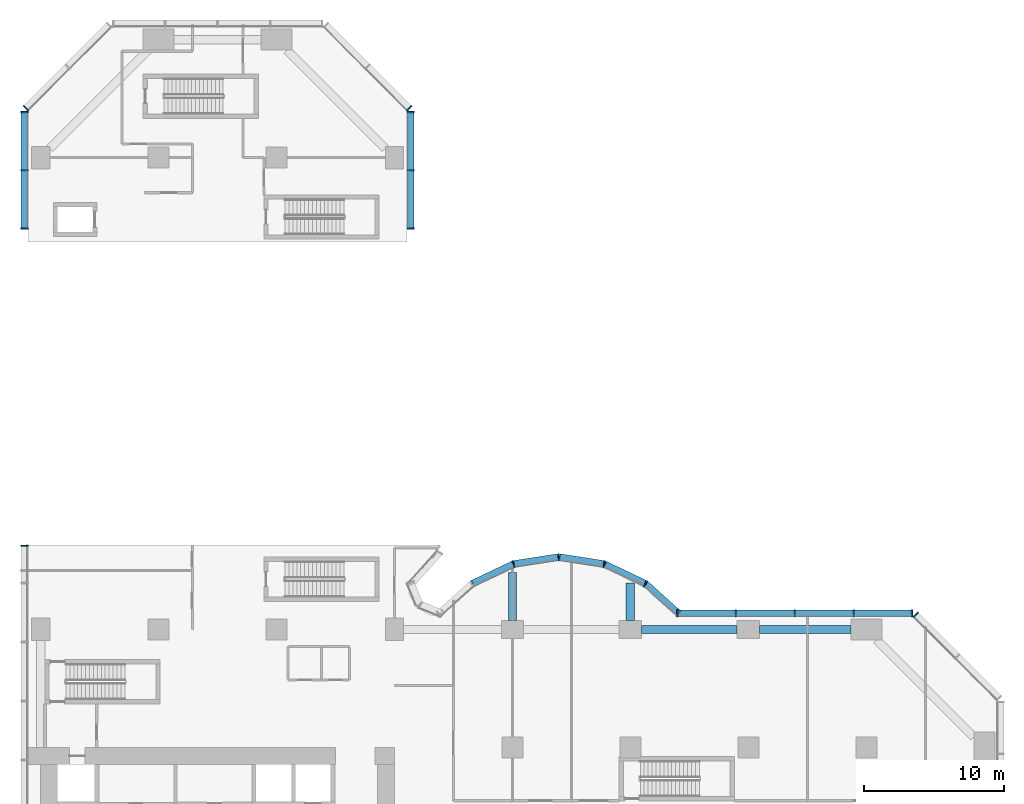
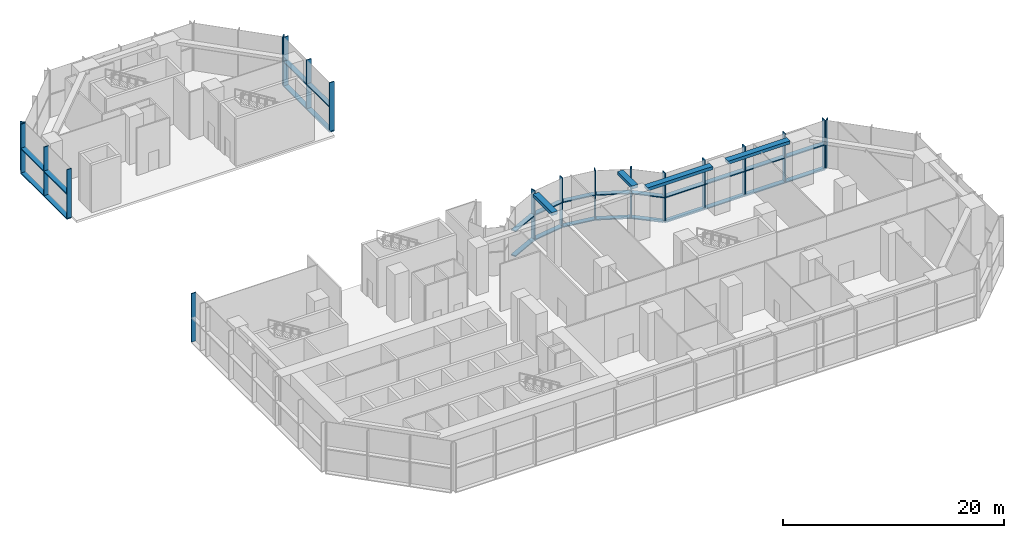
# One storey, part 3 of 16: 40 members, 4 beams, 8 elements without a shape of their own.
"""IFC4 building model written with IfcOpenShell, lengths in metres."""

from ifc_helpers import new_model, si_unit, direction, frame, origin, origin_2d, place, context, subcontext, project, spatial, rectangle, extrude, material, material_profile, profile_set, type_object, element, aggregate, save


model = new_model("IFC4")

# Units and contexts
model_context = context("Model", 3, precision=1e-05, world=origin(), true_north=direction((0.0, 1.0)))
body_context = subcontext(model_context, "Body", "Model", "MODEL_VIEW")
ifc_project = project(units=[si_unit("LENGTHUNIT", "METRE"), si_unit("AREAUNIT", "SQUARE_METRE"), si_unit("VOLUMEUNIT", "CUBIC_METRE"), si_unit("PLANEANGLEUNIT", "RADIAN"), si_unit("MASSUNIT", "GRAM", prefix="KILO")], contexts=[model_context])

# Site, building, storey
site_placement = place(None, origin())
site = spatial("IfcSite", under=ifc_project, at=site_placement, CompositionType="ELEMENT")
building_placement = place(site_placement, origin())
building = spatial("IfcBuilding", under=site, at=building_placement, Name="Brevane Broadcast Tower", CompositionType="ELEMENT")
storey_placement = place(building_placement, frame((0.0, 0.0, 7.0)))
storey = spatial("IfcBuildingStorey", under=building, at=storey_placement, Name="L01", CompositionType="ELEMENT", Elevation=7.0)

# Curtain wall, member
ifc_material_1 = material(Name="Aluminium 6063-T6 bronze anodised", Category="aluminium")
curtain_wall_type = type_object("IfcCurtainWallType", Name="CW-2 curtain wall", PredefinedType="NOTDEFINED", material=ifc_material_1)
curtain_wall_1_placement = place(storey_placement, origin())
curtain_wall_1 = element("IfcCurtainWall", 1, at=curtain_wall_1_placement, inside=storey, type_object=curtain_wall_type, Name="CW-2 podium base unit L01 north-east chamfer", PredefinedType="NOTDEFINED")
ifc_material_profile_1 = material_profile(ifc_material_1, rectangle(XDim=0.5, YDim=0.090087890625, at=origin_2d()), Name="RECT 90x500")
ifc_profile_set_1 = profile_set([ifc_material_profile_1], Name="Aluminium 6063-T6 bronze anodised")
member_type_1 = type_object("IfcMemberType", Name="CW-2 mullion 90x500", PredefinedType="MULLION", material=ifc_profile_set_1)
member_1_placement = place(storey_placement, frame((62.30859375, 26.244873046875, -0.1298828125), z_axis=(0.0, 0.0, 1.0), x_axis=(-0.707106781187, -0.707106781187, 0.0)))
member_1 = element("IfcMember", 2, at=member_1_placement, type_object=member_type_1, Name="CW-2 mullion", PredefinedType="MULLION", context=body_context, shape_type="SweptSolid", body=[
    extrude(rectangle(XDim=0.5, YDim=0.090087890625, at=origin_2d()), origin(), (0.0, 0.0, 1.0), 5.3798828125),
])
aggregate(curtain_wall_1, [member_1])

# Curtain wall, members
curtain_wall_2_placement = place(storey_placement, origin())
curtain_wall_2 = element("IfcCurtainWall", 3, at=curtain_wall_2_placement, inside=storey, type_object=curtain_wall_type, Name="CW-2 podium base unit L01 east arm north face", PredefinedType="NOTDEFINED")
member_2_placement = place(storey_placement, frame((62.054931640625, 26.35009765625, -0.1298828125), z_axis=(0.0, 0.0, 1.0), x_axis=(0.0, -1.0, 0.0)))
member_2 = element("IfcMember", 4, at=member_2_placement, type_object=member_type_1, Name="CW-2 mullion", PredefinedType="MULLION", context=body_context, shape_type="SweptSolid", body=[
    extrude(rectangle(XDim=0.5, YDim=0.090087890625, at=origin_2d()), origin(), (0.0, 0.0, 1.0), 5.3798828125),
])
member_3_placement = place(storey_placement, frame((57.89990234375, 26.35009765625, -0.1298828125), z_axis=(0.0, 0.0, 1.0), x_axis=(0.0, -1.0, 0.0)))
member_3 = element("IfcMember", 5, at=member_3_placement, type_object=member_type_1, Name="CW-2 mullion", PredefinedType="MULLION", context=body_context, shape_type="SweptSolid", body=[
    extrude(rectangle(XDim=0.5, YDim=0.090087890625, at=origin_2d()), origin(), (0.0, 0.0, 1.0), 5.3798828125),
])
member_4_placement = place(storey_placement, frame((53.699951171875, 26.35009765625, -0.1298828125), z_axis=(0.0, 0.0, 1.0), x_axis=(0.0, -1.0, 0.0)))
member_4 = element("IfcMember", 6, at=member_4_placement, type_object=member_type_1, Name="CW-2 mullion", PredefinedType="MULLION", context=body_context, shape_type="SweptSolid", body=[
    extrude(rectangle(XDim=0.5, YDim=0.090087890625, at=origin_2d()), origin(), (0.0, 0.0, 1.0), 5.3798828125),
])
member_5_placement = place(storey_placement, frame((49.5, 26.35009765625, -0.1298828125), z_axis=(0.0, 0.0, 1.0), x_axis=(0.0, -1.0, 0.0)))
member_5 = element("IfcMember", 7, at=member_5_placement, type_object=member_type_1, Name="CW-2 mullion", PredefinedType="MULLION", context=body_context, shape_type="SweptSolid", body=[
    extrude(rectangle(XDim=0.5, YDim=0.090087890625, at=origin_2d()), origin(), (0.0, 0.0, 1.0), 5.3798828125),
])
member_6_placement = place(storey_placement, frame((45.344970703125, 26.35009765625, -0.1298828125), z_axis=(0.0, 0.0, 1.0), x_axis=(0.0, -1.0, 0.0)))
member_6 = element("IfcMember", 8, at=member_6_placement, type_object=member_type_1, Name="CW-2 mullion", PredefinedType="MULLION", context=body_context, shape_type="SweptSolid", body=[
    extrude(rectangle(XDim=0.5, YDim=0.090087890625, at=origin_2d()), origin(), (0.0, 0.0, 1.0), 5.3798828125),
])

curtain_wall_3_placement = place(storey_placement, origin())
curtain_wall_3 = element("IfcCurtainWall", 9, at=curtain_wall_3_placement, inside=storey, type_object=curtain_wall_type, Name="CW-2 podium base unit L01 east bow", PredefinedType="NOTDEFINED")
member_7_placement = place(storey_placement, frame((43.0712890625, 28.447021484375, -0.1298828125), z_axis=(0.0, 0.0, 1.0), x_axis=(-0.555997481379, -0.831183975243, 0.0)))
member_7 = element("IfcMember", 10, at=member_7_placement, type_object=member_type_1, Name="CW-2 mullion", PredefinedType="MULLION", context=body_context, shape_type="SweptSolid", body=[
    extrude(rectangle(XDim=0.5, YDim=0.090087890625, at=origin_2d()), origin(), (0.0, 0.0, 1.0), 5.3798828125),
])
member_8_placement = place(storey_placement, frame((40.126953125, 29.84912109375, -0.1298828125), z_axis=(0.0, 0.0, 1.0), x_axis=(-0.294828346832, -0.955550232015, 0.0)))
member_8 = element("IfcMember", 11, at=member_8_placement, type_object=member_type_1, Name="CW-2 mullion", PredefinedType="MULLION", context=body_context, shape_type="SweptSolid", body=[
    extrude(rectangle(XDim=0.5, YDim=0.090087890625, at=origin_2d()), origin(), (0.0, 0.0, 1.0), 5.3798828125),
])
member_9_placement = place(storey_placement, frame((36.89990234375, 30.35009765625, -0.1298828125), z_axis=(0.0, 0.0, 1.0), x_axis=(0.0, -1.0, 0.0)))
member_9 = element("IfcMember", 12, at=member_9_placement, type_object=member_type_1, Name="CW-2 mullion", PredefinedType="MULLION", context=body_context, shape_type="SweptSolid", body=[
    extrude(rectangle(XDim=0.5, YDim=0.090087890625, at=origin_2d()), origin(), (0.0, 0.0, 1.0), 5.3798828125),
])
member_10_placement = place(storey_placement, frame((33.673095703125, 29.84912109375, -0.1298828125), z_axis=(0.0, 0.0, 1.0), x_axis=(0.294828346832, -0.955550232015, 0.0)))
member_10 = element("IfcMember", 13, at=member_10_placement, type_object=member_type_1, Name="CW-2 mullion", PredefinedType="MULLION", context=body_context, shape_type="SweptSolid", body=[
    extrude(rectangle(XDim=0.5, YDim=0.090087890625, at=origin_2d()), origin(), (0.0, 0.0, 1.0), 5.3798828125),
])

curtain_wall_4_placement = place(storey_placement, origin())
curtain_wall_4 = element("IfcCurtainWall", 14, at=curtain_wall_4_placement, inside=storey, type_object=curtain_wall_type, Name="CW-2 podium base unit L01 north arm east face", PredefinedType="NOTDEFINED")
member_11_placement = place(storey_placement, frame((26.35009765625, 53.7451171875, -0.1298828125), z_axis=(0.0, 0.0, 1.0), x_axis=(-1.0, 0.0, 0.0)))
member_11 = element("IfcMember", 15, at=member_11_placement, type_object=member_type_1, Name="CW-2 mullion", PredefinedType="MULLION", context=body_context, shape_type="SweptSolid", body=[
    extrude(rectangle(XDim=0.5, YDim=0.090087890625, at=origin_2d()), origin(), (0.0, 0.0, 1.0), 5.3798828125),
])
member_12_placement = place(storey_placement, frame((26.35009765625, 57.89990234375, -0.1298828125), z_axis=(0.0, 0.0, 1.0), x_axis=(-1.0, 0.0, 0.0)))
member_12 = element("IfcMember", 16, at=member_12_placement, type_object=member_type_1, Name="CW-2 mullion", PredefinedType="MULLION", context=body_context, shape_type="SweptSolid", body=[
    extrude(rectangle(XDim=0.5, YDim=0.090087890625, at=origin_2d()), origin(), (0.0, 0.0, 1.0), 5.3798828125),
])
member_13_placement = place(storey_placement, frame((26.35009765625, 62.054931640625, -0.1298828125), z_axis=(0.0, 0.0, 1.0), x_axis=(-1.0, 0.0, 0.0)))
member_13 = element("IfcMember", 17, at=member_13_placement, type_object=member_type_1, Name="CW-2 mullion", PredefinedType="MULLION", context=body_context, shape_type="SweptSolid", body=[
    extrude(rectangle(XDim=0.5, YDim=0.090087890625, at=origin_2d()), origin(), (0.0, 0.0, 1.0), 5.3798828125),
])

# Curtain wall, member
curtain_wall_5_placement = place(storey_placement, origin())
curtain_wall_5 = element("IfcCurtainWall", 18, at=curtain_wall_5_placement, inside=storey, type_object=curtain_wall_type, Name="CW-2 podium base unit L01 north arm north-east chamfer", PredefinedType="NOTDEFINED")
member_14_placement = place(storey_placement, frame((26.244873046875, 62.30859375, -0.1298828125), z_axis=(0.0, 0.0, 1.0), x_axis=(-0.707106781187, -0.707106781187, 0.0)))
member_14 = element("IfcMember", 19, at=member_14_placement, type_object=member_type_1, Name="CW-2 mullion", PredefinedType="MULLION", context=body_context, shape_type="SweptSolid", body=[
    extrude(rectangle(XDim=0.5, YDim=0.090087890625, at=origin_2d()), origin(), (0.0, 0.0, 1.0), 5.3798828125),
])
aggregate(curtain_wall_5, [member_14])

curtain_wall_6_placement = place(storey_placement, origin())
curtain_wall_6 = element("IfcCurtainWall", 20, at=curtain_wall_6_placement, inside=storey, type_object=curtain_wall_type, Name="CW-2 podium base unit L01 north-west chamfer", PredefinedType="NOTDEFINED")
member_15_placement = place(storey_placement, frame((-1.044921875, 62.30859375, -0.1298828125), z_axis=(0.0, 0.0, 1.0), x_axis=(0.707106781187, -0.707106781187, 0.0)))
member_15 = element("IfcMember", 21, at=member_15_placement, type_object=member_type_1, Name="CW-2 mullion", PredefinedType="MULLION", context=body_context, shape_type="SweptSolid", body=[
    extrude(rectangle(XDim=0.5, YDim=0.090087890625, at=origin_2d()), origin(), (0.0, 0.0, 1.0), 5.3798828125),
])
aggregate(curtain_wall_6, [member_15])

# Curtain wall, members
curtain_wall_7_placement = place(storey_placement, origin())
curtain_wall_7 = element("IfcCurtainWall", 22, at=curtain_wall_7_placement, inside=storey, type_object=curtain_wall_type, Name="CW-2 podium base unit L01 west face", PredefinedType="NOTDEFINED")
member_16_placement = place(storey_placement, frame((-1.14990234375, 62.054931640625, -0.1298828125), z_axis=(0.0, 0.0, 1.0), x_axis=(1.0, 0.0, 0.0)))
member_16 = element("IfcMember", 23, at=member_16_placement, type_object=member_type_1, Name="CW-2 mullion", PredefinedType="MULLION", context=body_context, shape_type="SweptSolid", body=[
    extrude(rectangle(XDim=0.5, YDim=0.090087890625, at=origin_2d()), origin(), (0.0, 0.0, 1.0), 5.3798828125),
])
member_17_placement = place(storey_placement, frame((-1.14990234375, 57.89990234375, -0.1298828125), z_axis=(0.0, 0.0, 1.0), x_axis=(1.0, 0.0, 0.0)))
member_17 = element("IfcMember", 24, at=member_17_placement, type_object=member_type_1, Name="CW-2 mullion", PredefinedType="MULLION", context=body_context, shape_type="SweptSolid", body=[
    extrude(rectangle(XDim=0.5, YDim=0.090087890625, at=origin_2d()), origin(), (0.0, 0.0, 1.0), 5.3798828125),
])
member_18_placement = place(storey_placement, frame((-1.14990234375, 53.7451171875, -0.1298828125), z_axis=(0.0, 0.0, 1.0), x_axis=(1.0, 0.0, 0.0)))
member_18 = element("IfcMember", 25, at=member_18_placement, type_object=member_type_1, Name="CW-2 mullion", PredefinedType="MULLION", context=body_context, shape_type="SweptSolid", body=[
    extrude(rectangle(XDim=0.5, YDim=0.090087890625, at=origin_2d()), origin(), (0.0, 0.0, 1.0), 5.3798828125),
])

# Curtain wall, member
curtain_wall_8_placement = place(storey_placement, origin())
curtain_wall_8 = element("IfcCurtainWall", 26, at=curtain_wall_8_placement, inside=storey, type_object=curtain_wall_type, Name="CW-2 podium base unit L01 west face", PredefinedType="NOTDEFINED")
member_19_placement = place(storey_placement, frame((-1.14990234375, 31.155029296875, -0.1298828125), z_axis=(0.0, 0.0, 1.0), x_axis=(1.0, 0.0, 0.0)))
member_19 = element("IfcMember", 27, at=member_19_placement, type_object=member_type_1, Name="CW-2 mullion", PredefinedType="MULLION", context=body_context, shape_type="SweptSolid", body=[
    extrude(rectangle(XDim=0.5, YDim=0.090087890625, at=origin_2d()), origin(), (0.0, 0.0, 1.0), 5.3798828125),
])
aggregate(curtain_wall_8, [member_19])

# Member
ifc_material_profile_2 = material_profile(ifc_material_1, rectangle(XDim=0.5, YDim=0.1201171875, at=origin_2d()), Name="RECT 120x500")
ifc_profile_set_2 = profile_set([ifc_material_profile_2], Name="Aluminium 6063-T6 bronze anodised")
member_type_2 = type_object("IfcMemberType", Name="CW-2 transom 120x500", PredefinedType="USERDEFINED", material=ifc_profile_set_2)
member_20_placement = place(storey_placement, frame((62.10009765625, 26.35009765625, -0.18994140625), z_axis=(-1.0, 0.0, 0.0), x_axis=(0.0, -1.0, 0.0)))
member_20 = element("IfcMember", 28, at=member_20_placement, type_object=member_type_2, Name="CW-2 transom", ObjectType="TRANSOM", PredefinedType="USERDEFINED", context=body_context, shape_type="SweptSolid", body=[
    extrude(rectangle(XDim=0.5, YDim=0.1201171875, at=origin_2d()), origin(), (0.0, 0.0, 1.0), 16.800048828125),
])

member_21_placement = place(storey_placement, frame((62.054931640625, 26.35009765625, 2.550048828125), z_axis=(-1.0, 0.0, 0.0), x_axis=(0.0, -1.0, 0.0)))
member_21 = element("IfcMember", 29, at=member_21_placement, type_object=member_type_2, Name="CW-2 transom", ObjectType="TRANSOM", PredefinedType="USERDEFINED", context=body_context, shape_type="SweptSolid", body=[
    extrude(rectangle(XDim=0.5, YDim=0.1201171875, at=origin_2d()), origin(), (0.0, 0.0, 1.0), 4.10986328125),
])

member_22_placement = place(storey_placement, frame((57.85498046875, 26.35009765625, 2.550048828125), z_axis=(-1.0, 0.0, 0.0), x_axis=(0.0, -1.0, 0.0)))
member_22 = element("IfcMember", 30, at=member_22_placement, type_object=member_type_2, Name="CW-2 transom", ObjectType="TRANSOM", PredefinedType="USERDEFINED", context=body_context, shape_type="SweptSolid", body=[
    extrude(rectangle(XDim=0.5, YDim=0.1201171875, at=origin_2d()), origin(), (0.0, 0.0, 1.0), 4.10986328125),
])

member_23_placement = place(storey_placement, frame((53.655029296875, 26.35009765625, 2.550048828125), z_axis=(-1.0, 0.0, 0.0), x_axis=(0.0, -1.0, 0.0)))
member_23 = element("IfcMember", 31, at=member_23_placement, type_object=member_type_2, Name="CW-2 transom", ObjectType="TRANSOM", PredefinedType="USERDEFINED", context=body_context, shape_type="SweptSolid", body=[
    extrude(rectangle(XDim=0.5, YDim=0.1201171875, at=origin_2d()), origin(), (0.0, 0.0, 1.0), 4.110107421875),
])

member_24_placement = place(storey_placement, frame((49.455078125, 26.35009765625, 2.550048828125), z_axis=(-1.0, 0.0, 0.0), x_axis=(0.0, -1.0, 0.0)))
member_24 = element("IfcMember", 32, at=member_24_placement, type_object=member_type_2, Name="CW-2 transom", ObjectType="TRANSOM", PredefinedType="USERDEFINED", context=body_context, shape_type="SweptSolid", body=[
    extrude(rectangle(XDim=0.5, YDim=0.1201171875, at=origin_2d()), origin(), (0.0, 0.0, 1.0), 4.110107421875),
])

aggregate(curtain_wall_2, [member_2, member_3, member_4, member_5, member_6, member_20, member_21, member_22, member_23, member_24])

member_25_placement = place(storey_placement, frame((45.349365234375, 26.39208984375, -0.18994140625), z_axis=(-0.742007303722, 0.670391796805, 0.0), x_axis=(-0.670391796805, -0.742007303722, 0.0)))
member_25 = element("IfcMember", 33, at=member_25_placement, type_object=member_type_2, Name="CW-2 transom", ObjectType="TRANSOM", PredefinedType="USERDEFINED", context=body_context, shape_type="SweptSolid", body=[
    extrude(rectangle(XDim=0.5, YDim=0.1201171875, at=origin_2d()), origin(), (0.0, 0.0, 1.0), 3.040771484375),
])

member_26_placement = place(storey_placement, frame((43.039794921875, 28.46484375, -0.18994140625), z_axis=(-0.902852027894, 0.429951410892, 0.0), x_axis=(-0.429951410892, -0.902852027894, 0.0)))
member_26 = element("IfcMember", 34, at=member_26_placement, type_object=member_type_2, Name="CW-2 transom", ObjectType="TRANSOM", PredefinedType="USERDEFINED", context=body_context, shape_type="SweptSolid", body=[
    extrude(rectangle(XDim=0.5, YDim=0.1201171875, at=origin_2d()), origin(), (0.0, 0.0, 1.0), 3.18896484375),
])

member_27_placement = place(storey_placement, frame((40.100341796875, 29.855712890625, -0.18994140625), z_axis=(-0.988151305523, 0.153482889576, 0.0), x_axis=(-0.153482889576, -0.988151305523, 0.0)))
member_27 = element("IfcMember", 35, at=member_27_placement, type_object=member_type_2, Name="CW-2 transom", ObjectType="TRANSOM", PredefinedType="USERDEFINED", context=body_context, shape_type="SweptSolid", body=[
    extrude(rectangle(XDim=0.5, YDim=0.1201171875, at=origin_2d()), origin(), (0.0, 0.0, 1.0), 3.19091796875),
])

member_28_placement = place(storey_placement, frame((36.852783203125, 30.345458984375, -0.18994140625), z_axis=(-0.98815310771, -0.153471286317, 0.0), x_axis=(0.153471286317, -0.98815310771, 0.0)))
member_28 = element("IfcMember", 36, at=member_28_placement, type_object=member_type_2, Name="CW-2 transom", ObjectType="TRANSOM", PredefinedType="USERDEFINED", context=body_context, shape_type="SweptSolid", body=[
    extrude(rectangle(XDim=0.5, YDim=0.1201171875, at=origin_2d()), origin(), (0.0, 0.0, 1.0), 3.191162109375),
])

member_29_placement = place(storey_placement, frame((33.639404296875, 29.8359375, -0.18994140625), z_axis=(-0.902852027894, -0.429951410892, 0.0), x_axis=(0.429951410892, -0.902852027894, 0.0)))
member_29 = element("IfcMember", 37, at=member_29_placement, type_object=member_type_2, Name="CW-2 transom", ObjectType="TRANSOM", PredefinedType="USERDEFINED", context=body_context, shape_type="SweptSolid", body=[
    extrude(rectangle(XDim=0.5, YDim=0.1201171875, at=origin_2d()), origin(), (0.0, 0.0, 1.0), 3.18896484375),
])

member_30_placement = place(storey_placement, frame((45.42724609375, 26.321533203125, 2.550048828125), z_axis=(-0.741985140113, 0.670416327256, 0.0), x_axis=(-0.670416327256, -0.741985140113, 0.0)))
member_30 = element("IfcMember", 38, at=member_30_placement, type_object=member_type_2, Name="CW-2 transom", ObjectType="TRANSOM", PredefinedType="USERDEFINED", context=body_context, shape_type="SweptSolid", body=[
    extrude(rectangle(XDim=0.5, YDim=0.1201171875, at=origin_2d()), origin(), (0.0, 0.0, 1.0), 3.100830078125),
])

member_31_placement = place(storey_placement, frame((42.9990234375, 28.484130859375, 2.550048828125), z_axis=(-0.902864887577, 0.429924405891, 0.0), x_axis=(-0.429924405891, -0.902864887577, 0.0)))
member_31 = element("IfcMember", 39, at=member_31_placement, type_object=member_type_2, Name="CW-2 transom", ObjectType="TRANSOM", PredefinedType="USERDEFINED", context=body_context, shape_type="SweptSolid", body=[
    extrude(rectangle(XDim=0.5, YDim=0.1201171875, at=origin_2d()), origin(), (0.0, 0.0, 1.0), 3.098876953125),
])

member_32_placement = place(storey_placement, frame((40.055908203125, 29.862548828125, 2.550048828125), z_axis=(-0.988145590369, 0.153519680283, 0.0), x_axis=(-0.153519680283, -0.988145590369, 0.0)))
member_32 = element("IfcMember", 40, at=member_32_placement, type_object=member_type_2, Name="CW-2 transom", ObjectType="TRANSOM", PredefinedType="USERDEFINED", context=body_context, shape_type="SweptSolid", body=[
    extrude(rectangle(XDim=0.5, YDim=0.1201171875, at=origin_2d()), origin(), (0.0, 0.0, 1.0), 3.110595703125),
])

member_33_placement = place(storey_placement, frame((36.817626953125, 30.340087890625, 2.550048828125), z_axis=(-0.988145590369, -0.153519680283, 0.0), x_axis=(0.153519680283, -0.988145590369, 0.0)))
member_33 = element("IfcMember", 41, at=member_33_placement, type_object=member_type_2, Name="CW-2 transom", ObjectType="TRANSOM", PredefinedType="USERDEFINED", context=body_context, shape_type="SweptSolid", body=[
    extrude(rectangle(XDim=0.5, YDim=0.1201171875, at=origin_2d()), origin(), (0.0, 0.0, 1.0), 3.110595703125),
])

member_34_placement = place(storey_placement, frame((33.598876953125, 29.81640625, 2.550048828125), z_axis=(-0.902864887577, -0.429924405891, 0.0), x_axis=(0.429924405891, -0.902864887577, 0.0)))
member_34 = element("IfcMember", 42, at=member_34_placement, type_object=member_type_2, Name="CW-2 transom", ObjectType="TRANSOM", PredefinedType="USERDEFINED", context=body_context, shape_type="SweptSolid", body=[
    extrude(rectangle(XDim=0.5, YDim=0.1201171875, at=origin_2d()), origin(), (0.0, 0.0, 1.0), 3.098876953125),
])

aggregate(curtain_wall_3, [member_7, member_8, member_9, member_10, member_25, member_26, member_27, member_28, member_29, member_30, member_31, member_32, member_33, member_34])

member_35_placement = place(storey_placement, frame((26.35009765625, 53.699951171875, -0.18994140625), z_axis=(0.0, 1.0, 0.0), x_axis=(-1.0, 0.0, 0.0)))
member_35 = element("IfcMember", 43, at=member_35_placement, type_object=member_type_2, Name="CW-2 transom", ObjectType="TRANSOM", PredefinedType="USERDEFINED", context=body_context, shape_type="SweptSolid", body=[
    extrude(rectangle(XDim=0.5, YDim=0.1201171875, at=origin_2d()), origin(), (0.0, 0.0, 1.0), 8.400146484375),
])

member_36_placement = place(storey_placement, frame((26.35009765625, 53.7451171875, 2.550048828125), z_axis=(0.0, 1.0, 0.0), x_axis=(-1.0, 0.0, 0.0)))
member_36 = element("IfcMember", 44, at=member_36_placement, type_object=member_type_2, Name="CW-2 transom", ObjectType="TRANSOM", PredefinedType="USERDEFINED", context=body_context, shape_type="SweptSolid", body=[
    extrude(rectangle(XDim=0.5, YDim=0.1201171875, at=origin_2d()), origin(), (0.0, 0.0, 1.0), 4.10986328125),
])

member_37_placement = place(storey_placement, frame((26.35009765625, 57.945068359375, 2.550048828125), z_axis=(0.0, 1.0, 0.0), x_axis=(-1.0, 0.0, 0.0)))
member_37 = element("IfcMember", 45, at=member_37_placement, type_object=member_type_2, Name="CW-2 transom", ObjectType="TRANSOM", PredefinedType="USERDEFINED", context=body_context, shape_type="SweptSolid", body=[
    extrude(rectangle(XDim=0.5, YDim=0.1201171875, at=origin_2d()), origin(), (0.0, 0.0, 1.0), 4.10986328125),
])

aggregate(curtain_wall_4, [member_11, member_12, member_13, member_35, member_36, member_37])

member_38_placement = place(storey_placement, frame((-1.14990234375, 62.10009765625, -0.18994140625), z_axis=(0.0, -1.0, 0.0), x_axis=(1.0, 0.0, 0.0)))
member_38 = element("IfcMember", 46, at=member_38_placement, type_object=member_type_2, Name="CW-2 transom", ObjectType="TRANSOM", PredefinedType="USERDEFINED", context=body_context, shape_type="SweptSolid", body=[
    extrude(rectangle(XDim=0.5, YDim=0.1201171875, at=origin_2d()), origin(), (0.0, 0.0, 1.0), 8.400146484375),
])

member_39_placement = place(storey_placement, frame((-1.14990234375, 62.054931640625, 2.550048828125), z_axis=(0.0, -1.0, 0.0), x_axis=(1.0, 0.0, 0.0)))
member_39 = element("IfcMember", 47, at=member_39_placement, type_object=member_type_2, Name="CW-2 transom", ObjectType="TRANSOM", PredefinedType="USERDEFINED", context=body_context, shape_type="SweptSolid", body=[
    extrude(rectangle(XDim=0.5, YDim=0.1201171875, at=origin_2d()), origin(), (0.0, 0.0, 1.0), 4.10986328125),
])

member_40_placement = place(storey_placement, frame((-1.14990234375, 57.85498046875, 2.550048828125), z_axis=(0.0, -1.0, 0.0), x_axis=(1.0, 0.0, 0.0)))
member_40 = element("IfcMember", 48, at=member_40_placement, type_object=member_type_2, Name="CW-2 transom", ObjectType="TRANSOM", PredefinedType="USERDEFINED", context=body_context, shape_type="SweptSolid", body=[
    extrude(rectangle(XDim=0.5, YDim=0.1201171875, at=origin_2d()), origin(), (0.0, 0.0, 1.0), 4.10986328125),
])

aggregate(curtain_wall_7, [member_16, member_17, member_18, member_38, member_39, member_40])

# Beams
ifc_material_2 = material(Name="Concrete C40/50", Category="concrete")
ifc_material_profile_3 = material_profile(ifc_material_2, rectangle(XDim=0.60009765625, YDim=0.35009765625, at=origin_2d()), Name="RC 600x350")
ifc_profile_set_3 = profile_set([ifc_material_profile_3], Name="Concrete C40/50")
beam_type_1 = type_object("IfcBeamType", Name="RC BRACKET BEAM 600x350 C40/50", PredefinedType="BEAM", material=ifc_profile_set_3)
beam_1_placement = place(storey_placement, frame((33.60009765625, 25.85009765625, 5.074951171875), z_axis=(0.0, 1.0, 0.0), x_axis=(-1.0, 0.0, 0.0)))
element("IfcBeam", 49, at=beam_1_placement, inside=storey, type_object=beam_type_1, Name="EB2 L01-1", PredefinedType="BEAM", context=body_context, shape_type="SweptSolid", body=[
    extrude(rectangle(XDim=0.60009765625, YDim=0.35009765625, at=origin_2d()), origin(), (0.0, 0.0, 1.0), 3.411865234375),
])
beam_2_placement = place(storey_placement, frame((42.0, 25.85009765625, 5.074951171875), z_axis=(0.0, 1.0, 0.0), x_axis=(-1.0, 0.0, 0.0)))
element("IfcBeam", 50, at=beam_2_placement, inside=storey, type_object=beam_type_1, Name="EB2 L01-2", PredefinedType="BEAM", context=body_context, shape_type="SweptSolid", body=[
    extrude(rectangle(XDim=0.60009765625, YDim=0.35009765625, at=origin_2d()), origin(), (0.0, 0.0, 1.0), 2.661376953125),
])
ifc_material_profile_4 = material_profile(ifc_material_2, rectangle(XDim=0.60009765625, YDim=0.35009765625, at=origin_2d()), Name="RC 600x350")
ifc_profile_set_4 = profile_set([ifc_material_profile_4], Name="Concrete C40/50")
beam_type_2 = type_object("IfcBeamType", Name="RC SPANDREL BEAM 600x350 C40/50", PredefinedType="SPANDREL", material=ifc_profile_set_4)
beam_3_placement = place(storey_placement, frame((57.699951171875, 25.199951171875, 5.074951171875), z_axis=(-1.0, 0.0, 0.0), x_axis=(0.0, -1.0, 0.0)))
element("IfcBeam", 51, at=beam_3_placement, inside=storey, type_object=beam_type_2, Name="EB1 L01-8", PredefinedType="SPANDREL", context=body_context, shape_type="SweptSolid", body=[
    extrude(rectangle(XDim=0.60009765625, YDim=0.35009765625, at=origin_2d()), origin(), (0.0, 0.0, 1.0), 6.5),
])
beam_4_placement = place(storey_placement, frame((49.60009765625, 25.199951171875, 5.074951171875), z_axis=(-1.0, 0.0, 0.0), x_axis=(0.0, -1.0, 0.0)))
element("IfcBeam", 52, at=beam_4_placement, inside=storey, type_object=beam_type_2, Name="EB1 L01-9", PredefinedType="SPANDREL", context=body_context, shape_type="SweptSolid", body=[
    extrude(rectangle(XDim=0.60009765625, YDim=0.35009765625, at=origin_2d()), origin(), (0.0, 0.0, 1.0), 6.800048828125),
])

save(model, "model.ifc")
